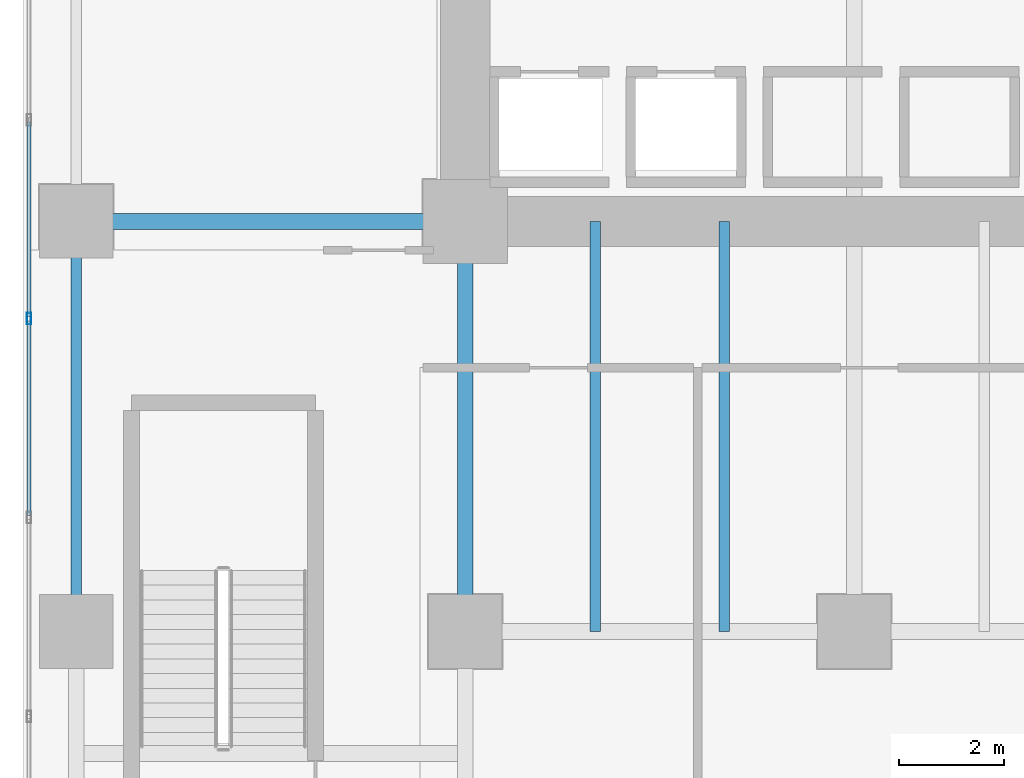
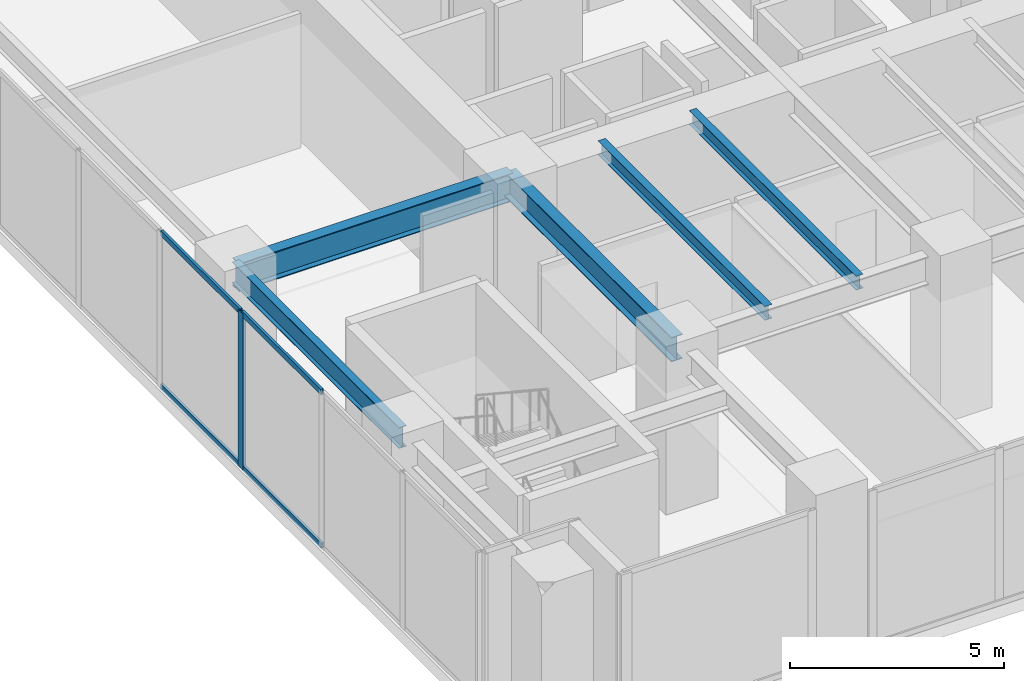
# One storey, part 3 of 33: 5 beams, 5 members, 1 element without a shape of its own.
"""IFC4 building model written with IfcOpenShell, lengths in metres."""

from ifc_helpers import new_model, si_unit, direction, frame, origin, origin_2d, place, context, subcontext, project, spatial, hollow_rectangle, i_section, extrude, source, transform, mapped, material, layer, layer_set, material_profile, profile_set, type_object, type_shapes, element, aggregate, save


model = new_model("IFC4")

# Units and contexts
model_context = context("Model", 3, precision=1e-05, world=origin(), true_north=direction((0.0, 1.0)))
body_context = subcontext(model_context, "Body", "Model", "MODEL_VIEW")
ifc_project = project(units=[si_unit("LENGTHUNIT", "METRE"), si_unit("AREAUNIT", "SQUARE_METRE"), si_unit("VOLUMEUNIT", "CUBIC_METRE"), si_unit("PLANEANGLEUNIT", "RADIAN"), si_unit("MASSUNIT", "GRAM", prefix="KILO")], contexts=[model_context])

# Site, building, storey
site_placement = place(None, origin())
site = spatial("IfcSite", under=ifc_project, at=site_placement, CompositionType="ELEMENT")
building_placement = place(site_placement, origin())
building = spatial("IfcBuilding", under=site, at=building_placement, Name="Haelvirn Gate Laboratories", CompositionType="ELEMENT")
storey_placement = place(building_placement, frame((0.0, 0.0, 10.199951171875)))
storey = spatial("IfcBuildingStorey", under=building, at=storey_placement, Name="L03", CompositionType="ELEMENT", Elevation=10.199951171875)

# Beams
ifc_material_1 = material(Name="Steel SM420", Category="steel")
ifc_material_profile_1 = material_profile(ifc_material_1, i_section(OverallWidth=0.300048828125, OverallDepth=0.800048828125, WebThickness=0.013916015625, FlangeThickness=0.02587890625, at=origin_2d()), Name="H-800x300x14x26")
ifc_profile_set_1 = profile_set([ifc_material_profile_1], Name="Steel SM420")
beam_type_1 = type_object("IfcBeamType", Name="BM-G-800", PredefinedType="BEAM", material=ifc_profile_set_1)
shared_shape_1 = source(origin(), body_context, "Body", "SweptSolid", [
    extrude(i_section(OverallWidth=0.300048828125, OverallDepth=0.800048828125, WebThickness=0.013916015625, FlangeThickness=0.02587890625, at=origin_2d()), origin(), (0.0, 0.0, 1.0), 7.39990234375),
])
type_shapes(beam_type_1, [shared_shape_1])
beam_1_placement = place(storey_placement, frame((0.0, 14.800048828125, 4.050048828125), z_axis=(1.0, 0.0, 0.0), x_axis=(0.0, 1.0, 0.0)))
element("IfcBeam", 1, at=beam_1_placement, inside=storey, type_object=beam_type_1, Name="L03 Primary Girder Y14.8 (0.0-7.4)", PredefinedType="BEAM", context=body_context, shape_type="MappedRepresentation", body=[
    mapped(shared_shape_1, transform((0.0, 0.0, 0.0), scale=1.0)),
])
ifc_material_2 = material(Name="Steel SM355", Category="steel")
ifc_material_profile_2 = material_profile(ifc_material_2, i_section(OverallWidth=0.199951171875, OverallDepth=0.60009765625, WebThickness=0.010986328125, FlangeThickness=0.01708984375, at=origin_2d()), Name="H-600x200x11x17")
ifc_profile_set_2 = profile_set([ifc_material_profile_2], Name="Steel SM355")
beam_type_2 = type_object("IfcBeamType", Name="BM-SP-600", PredefinedType="SPANDREL", material=ifc_profile_set_2)
shared_shape_2 = source(origin(), body_context, "Body", "SweptSolid", [
    extrude(i_section(OverallWidth=0.199951171875, OverallDepth=0.60009765625, WebThickness=0.010986328125, FlangeThickness=0.01708984375, at=origin_2d()), origin(), (0.0, 0.0, 1.0), 7.800048828125),
])
type_shapes(beam_type_2, [shared_shape_2])
beam_2_placement = place(storey_placement, frame((0.0, 7.0, 4.150146484375), z_axis=(0.0, 1.0, 0.0), x_axis=(-1.0, 0.0, 0.0)))
element("IfcBeam", 2, at=beam_2_placement, inside=storey, type_object=beam_type_2, Name="L03 Perimeter Spandrel X0.0 (7.0-14.8)", PredefinedType="SPANDREL", context=body_context, shape_type="MappedRepresentation", body=[
    mapped(shared_shape_2, transform((0.0, 0.0, 0.0), scale=1.0)),
])
ifc_material_profile_3 = material_profile(ifc_material_2, i_section(OverallWidth=0.199951171875, OverallDepth=0.39990234375, WebThickness=0.008056640625, FlangeThickness=0.012939453125, at=origin_2d()), Name="H-400x200x8x13")
ifc_profile_set_3 = profile_set([ifc_material_profile_3], Name="Steel SM355")
beam_type_3 = type_object("IfcBeamType", Name="BM-J-400", PredefinedType="JOIST", material=ifc_profile_set_3)
shared_shape_3 = source(origin(), body_context, "Body", "SweptSolid", [
    extrude(i_section(OverallWidth=0.199951171875, OverallDepth=0.39990234375, WebThickness=0.008056640625, FlangeThickness=0.012939453125, at=origin_2d()), origin(), (0.0, 0.0, 1.0), 7.800048828125),
])
type_shapes(beam_type_3, [shared_shape_3])
for number, where, z_axis, x_axis, name in (
    (3, (9.8701171875, 7.0, 4.25), (0.0, 1.0, 0.0), (-1.0, 0.0, 0.0), "L03 Composite Lab Joist South X9.87"),
    (4, (12.330078125, 7.0, 4.25), (0.0, 1.0, 0.0), (-1.0, 0.0, 0.0), "L03 Composite Lab Joist South X12.33"),
):
    element("IfcBeam", number, at=place(storey_placement, frame(where, z_axis=z_axis, x_axis=x_axis)), inside=storey, type_object=beam_type_3, Name=name, PredefinedType="JOIST", context=body_context, shape_type="MappedRepresentation", body=[
        mapped(shared_shape_3, transform((0.0, 0.0, 0.0), scale=1.0)),
    ])
ifc_material_profile_4 = material_profile(ifc_material_2, i_section(OverallWidth=0.300048828125, OverallDepth=0.699951171875, WebThickness=0.012939453125, FlangeThickness=0.02392578125, at=origin_2d()), Name="H-700x300x13x24")
ifc_profile_set_4 = profile_set([ifc_material_profile_4], Name="Steel SM355")
beam_type_4 = type_object("IfcBeamType", Name="BM-G-700", PredefinedType="BEAM", material=ifc_profile_set_4)
shared_shape_4 = source(origin(), body_context, "Body", "SweptSolid", [
    extrude(i_section(OverallWidth=0.300048828125, OverallDepth=0.699951171875, WebThickness=0.012939453125, FlangeThickness=0.02392578125, at=origin_2d()), origin(), (0.0, 0.0, 1.0), 7.800048828125),
])
type_shapes(beam_type_4, [shared_shape_4])
beam_3_placement = place(storey_placement, frame((7.39990234375, 7.0, 4.10009765625), z_axis=(0.0, 1.0, 0.0), x_axis=(-1.0, 0.0, 0.0)))
element("IfcBeam", 5, at=beam_3_placement, inside=storey, type_object=beam_type_4, Name="L03 Frame Girder X7.4 (7.0-14.8)", PredefinedType="BEAM", context=body_context, shape_type="MappedRepresentation", body=[
    mapped(shared_shape_4, transform((0.0, 0.0, 0.0), scale=1.0)),
])

# Curtain wall, members
ifc_material_3 = material(Name="Anodised bronze unitised aluminium & triple low-E glass", Category="aluminium")
ifc_layer = layer(ifc_material_3, 0.18798828125, Name="CW-SYS-1")
ifc_layer_set = layer_set([ifc_layer], Name="Anodised bronze unitised aluminium & triple low-E glass")
curtain_wall_type = type_object("IfcCurtainWallType", Name="CW-SYS-1", PredefinedType="NOTDEFINED", material=ifc_layer_set)
curtain_wall_placement = place(storey_placement, origin())
curtain_wall = element("IfcCurtainWall", 6, at=curtain_wall_placement, inside=storey, type_object=curtain_wall_type, Name="L03 Unitised Curtain Wall CW-L03-P0-E05", PredefinedType="NOTDEFINED")
ifc_material_4 = material(Name="Extruded aluminium 6063-T6 (anodised bronze)", Category="aluminium")
ifc_material_profile_5 = material_profile(ifc_material_4, hollow_rectangle(XDim=0.070068359375, YDim=0.159912109375, WallThickness=0.0048828125, at=origin_2d()), Name="CWT-160x70x5")
ifc_profile_set_5 = profile_set([ifc_material_profile_5], Name="Extruded aluminium 6063-T6 (anodised bronze)")
member_type_1 = type_object("IfcMemberType", Name="CWT-T160", PredefinedType="USERDEFINED", material=ifc_profile_set_5)
shared_shape_5 = source(origin(), body_context, "Body", "SweptSolid", [
    extrude(hollow_rectangle(XDim=0.070068359375, YDim=0.159912109375, WallThickness=0.0048828125, at=origin_2d()), origin(), (0.0, 0.0, 1.0), 3.703369140625),
])
member_1_placement = place(storey_placement, frame((-0.89990234375, 16.693359375, 0.03515625), z_axis=(0.0, -1.0, 0.0), x_axis=(1.0, 0.0, 0.0)))
member_1 = element("IfcMember", 7, at=member_1_placement, type_object=member_type_1, Name="CW1 transom 9.1", ObjectType="TRANSOM", PredefinedType="USERDEFINED", context=body_context, shape_type="MappedRepresentation", body=[
    mapped(shared_shape_5, transform((0.0, 0.0, 0.0), scale=1.0)),
])
member_2_placement = place(storey_placement, frame((-0.89990234375, 16.693359375, 4.4150390625), z_axis=(0.0, -1.0, 0.0), x_axis=(1.0, 0.0, 0.0)))
member_2 = element("IfcMember", 8, at=member_2_placement, type_object=member_type_1, Name="CW1 transom 9.2", ObjectType="TRANSOM", PredefinedType="USERDEFINED", context=body_context, shape_type="MappedRepresentation", body=[
    mapped(shared_shape_5, transform((0.0, 0.0, 0.0), scale=1.0)),
])
shared_shape_6 = source(origin(), body_context, "Body", "SweptSolid", [
    extrude(hollow_rectangle(XDim=0.070068359375, YDim=0.159912109375, WallThickness=0.0048828125, at=origin_2d()), origin(), (0.0, 0.0, 1.0), 3.703125),
])
type_shapes(member_type_1, [shared_shape_5, shared_shape_6])
member_3_placement = place(storey_placement, frame((-0.89990234375, 12.909912109375, 0.03515625), z_axis=(0.0, -1.0, 0.0), x_axis=(1.0, 0.0, 0.0)))
member_3 = element("IfcMember", 9, at=member_3_placement, type_object=member_type_1, Name="CW1 transom 10.1", ObjectType="TRANSOM", PredefinedType="USERDEFINED", context=body_context, shape_type="MappedRepresentation", body=[
    mapped(shared_shape_6, transform((0.0, 0.0, 0.0), scale=1.0)),
])
member_4_placement = place(storey_placement, frame((-0.89990234375, 12.909912109375, 4.4150390625), z_axis=(0.0, -1.0, 0.0), x_axis=(1.0, 0.0, 0.0)))
member_4 = element("IfcMember", 10, at=member_4_placement, type_object=member_type_1, Name="CW1 transom 10.2", ObjectType="TRANSOM", PredefinedType="USERDEFINED", context=body_context, shape_type="MappedRepresentation", body=[
    mapped(shared_shape_6, transform((0.0, 0.0, 0.0), scale=1.0)),
])
ifc_material_profile_6 = material_profile(ifc_material_4, hollow_rectangle(XDim=0.080078125, YDim=0.219970703125, WallThickness=0.006103515625, at=origin_2d()), Name="CWM-220x80x6")
ifc_profile_set_6 = profile_set([ifc_material_profile_6], Name="Extruded aluminium 6063-T6 (anodised bronze)")
member_type_2 = type_object("IfcMemberType", Name="CWM-T220", PredefinedType="MULLION", material=ifc_profile_set_6)
shared_shape_7 = source(origin(), body_context, "Body", "SweptSolid", [
    extrude(hollow_rectangle(XDim=0.080078125, YDim=0.219970703125, WallThickness=0.006103515625, at=origin_2d()), origin(), (0.0, 0.0, 1.0), 4.449951171875),
])
type_shapes(member_type_2, [shared_shape_7])
member_5_placement = place(storey_placement, frame((-0.89990234375, 12.949951171875, 0.0), z_axis=(0.0, 0.0, 1.0), x_axis=(1.0, 0.0, 0.0)))
member_5 = element("IfcMember", 11, at=member_5_placement, type_object=member_type_2, Name="CW1 mullion 10", PredefinedType="MULLION", context=body_context, shape_type="MappedRepresentation", body=[
    mapped(shared_shape_7, transform((0.0, 0.0, 0.0), scale=1.0)),
])
aggregate(curtain_wall, [member_5, member_1, member_2, member_3, member_4])

save(model, "model.ifc")
